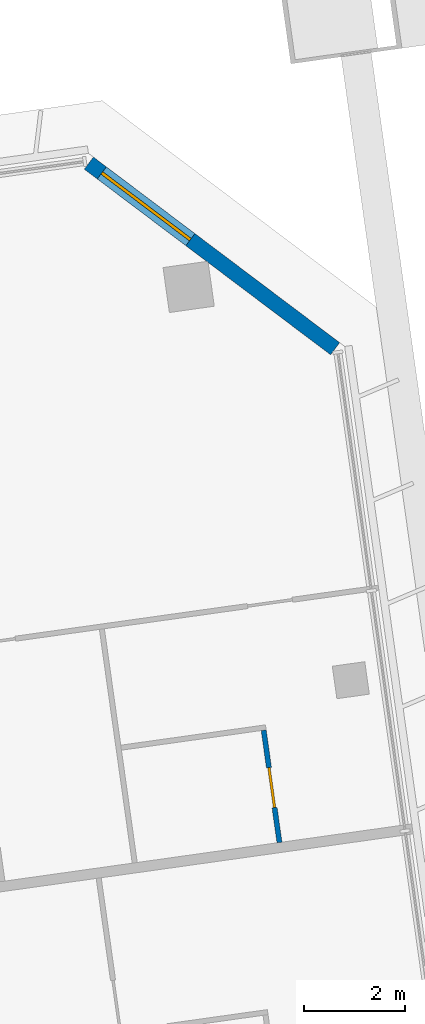
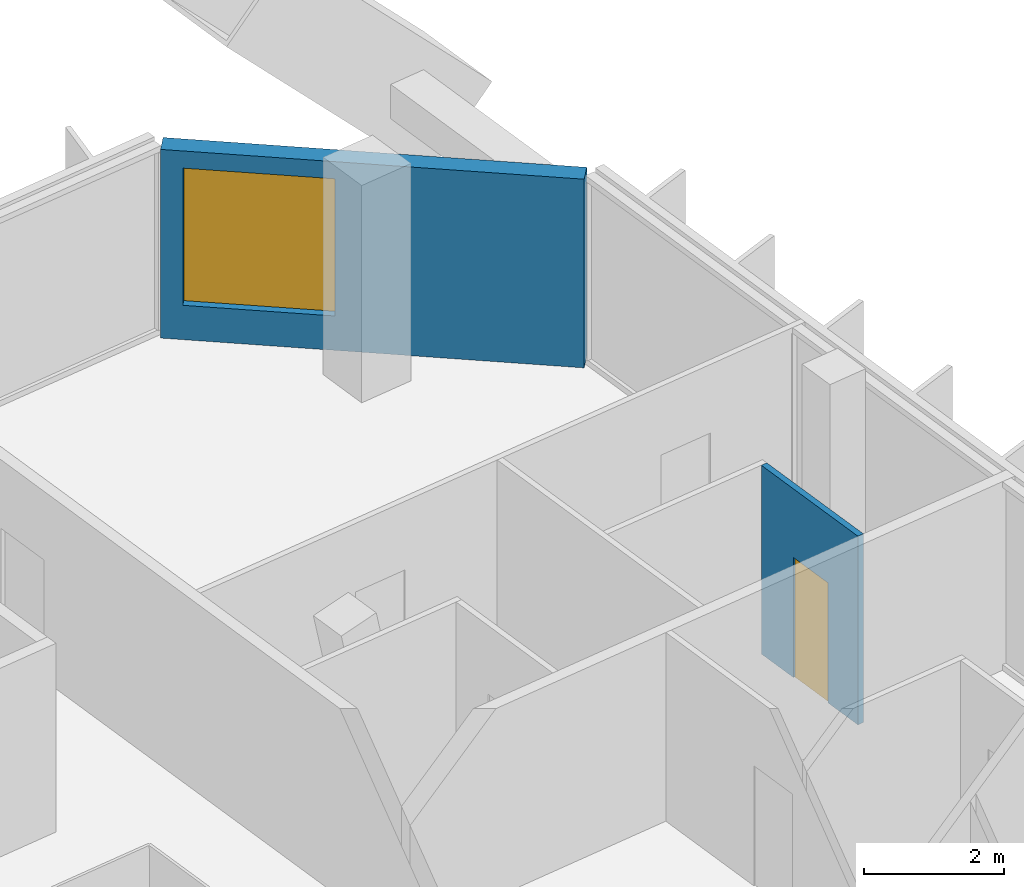
# One storey, part 26 of 34: 2 walls, 1 door, 1 window, 2 openings.
"""IFC4 building model written with IfcOpenShell, lengths in metres."""

from ifc_helpers import new_model, si_unit, direction, frame, frame_2d, origin, place, context, subcontext, project, spatial, rectangle, extrude, material, layer, layer_set, type_object, element, fill, save


model = new_model("IFC4")

# Units and contexts
model_context = context("Model", 3, precision=1e-05, world=origin(), true_north=direction((0.0, 1.0)))
body_context = subcontext(model_context, "Body", "Model", "MODEL_VIEW")
ifc_project = project(units=[si_unit("LENGTHUNIT", "METRE"), si_unit("AREAUNIT", "SQUARE_METRE"), si_unit("VOLUMEUNIT", "CUBIC_METRE"), si_unit("PLANEANGLEUNIT", "RADIAN"), si_unit("MASSUNIT", "GRAM", prefix="KILO")], contexts=[model_context])

# Site, building, storey
site_placement = place(None, origin())
site = spatial("IfcSite", under=ifc_project, at=site_placement, CompositionType="ELEMENT")
building_placement = place(site_placement, origin())
building = spatial("IfcBuilding", under=site, at=building_placement, Name="Mirante Cascada Hotel Towers", CompositionType="ELEMENT")
storey_placement = place(building_placement, frame((0.0, 0.0, 148.1)))
storey = spatial("IfcBuildingStorey", under=building, at=storey_placement, Name="L34", CompositionType="ELEMENT", Elevation=148.1)

# Wall, opening, door
ifc_material_1 = material(Name="Plasterboard on metal studs")
ifc_layer_1 = layer(ifc_material_1, 0.1)
ifc_layer_set_1 = layer_set([ifc_layer_1], Name="Partition 100")
wall_type_1 = type_object("IfcWallType", Name="Partition 100", PredefinedType="PARTITIONING", material=ifc_layer_set_1)
wall_1_placement = place(storey_placement, frame((97.9885, 12.5369, 0.0), z_axis=(0.0, 0.0, 1.0), x_axis=(-0.1391561, 0.9902705, 0.0)))
wall_1 = element("IfcWall", 1, at=wall_1_placement, inside=storey, type_object=wall_type_1, Name="Wall 2-L34-57", PredefinedType="PARTITIONING", context=body_context, shape_type="SweptSolid", body=[
    extrude(rectangle(XDim=2.25, YDim=0.1, at=frame_2d((1.125, 0.0))), origin(), (0.0, 0.0, 1.0), 3.3),
])
opening_1_placement = place(wall_1_placement, frame((0.7, 0.0, 0.0)))
opening_1 = element("IfcOpeningElement", 2, at=opening_1_placement, cuts=wall_1, Name="Opening D2-L34-35", PredefinedType="OPENING", context=body_context, shape_type="SweptSolid", body=[
    extrude(rectangle(XDim=0.8, YDim=2.1, at=frame_2d((0.4, 1.05))), frame((0.0, 0.05, 0.0), z_axis=(0.0, -1.0, 0.0), x_axis=(1.0, 0.0, 0.0)), (0.0, 0.0, 1.0), 0.1),
])
ifc_material_2 = material(Name="Timber door leaf", Category="wood")
door_type = type_object("IfcDoorType", Name="Bathroom door DG4 800x2100", OperationType="SINGLE_SWING_LEFT", PredefinedType="DOOR", material=ifc_material_2)
door_placement = place(opening_1_placement, origin())
door = element("IfcDoor", 3, at=door_placement, inside=storey, type_object=door_type, Name="Door D2-L34-35", OperationType="SINGLE_SWING_LEFT", OverallHeight=2.1, OverallWidth=0.8, PredefinedType="DOOR", context=body_context, shape_type="SweptSolid", body=[
    extrude(rectangle(XDim=0.8, YDim=2.1, at=frame_2d((0.4, 1.05))), frame((0.0, 0.025, 0.0), z_axis=(0.0, -1.0, 0.0), x_axis=(1.0, 0.0, 0.0)), (0.0, 0.0, 1.0), 0.05),
])
fill(opening_1, door)

# Wall, opening, window
ifc_material_3 = material(Name="Precast concrete C40/50", Category="concrete")
ifc_layer_2 = layer(ifc_material_3, 0.3)
ifc_layer_set_2 = layer_set([ifc_layer_2], Name="Precast concrete C40/50 cladding wall 300")
wall_type_2 = type_object("IfcWallType", Name="Precast concrete C40/50 cladding wall 300", PredefinedType="STANDARD", material=ifc_layer_set_2)
wall_2_placement = place(storey_placement, frame((99.0919, 22.3343, 0.0), z_axis=(0.0, 0.0, 1.0), x_axis=(-0.7986362, 0.6018141, 0.0)))
wall_2 = element("IfcWall", 4, at=wall_2_placement, inside=storey, type_object=wall_type_2, Name="Corner cladding wall T2 L34 outer front", PredefinedType="STANDARD", context=body_context, shape_type="SweptSolid", body=[
    extrude(rectangle(XDim=6.1157, YDim=0.3, at=frame_2d((3.0578, 0.0))), origin(), (0.0, 0.0, 1.0), 3.3),
])
opening_2_placement = place(wall_2_placement, frame((3.595, 0.0, 0.6)))
opening_2 = element("IfcOpeningElement", 5, at=opening_2_placement, cuts=wall_2, Name="Opening W2-34-04", PredefinedType="OPENING", context=body_context, shape_type="SweptSolid", body=[
    extrude(rectangle(XDim=2.2, YDim=2.4, at=frame_2d((1.1, 1.2))), frame((0.0, 0.15, 0.0), z_axis=(0.0, -1.0, 0.0), x_axis=(1.0, 0.0, 0.0)), (0.0, 0.0, 1.0), 0.3),
])
ifc_material_4 = material(Name="Aluminium frame with clear double glazing", Category="aluminium")
window_type = type_object("IfcWindowType", Name="Corner suite window 2200x2400", PartitioningType="DOUBLE_PANEL_VERTICAL", PredefinedType="WINDOW", material=ifc_material_4)
window_placement = place(opening_2_placement, origin())
window = element("IfcWindow", 6, at=window_placement, inside=storey, type_object=window_type, Name="Window W2-34-04", OverallHeight=2.4, OverallWidth=2.2, PartitioningType="SINGLE_PANEL", PredefinedType="WINDOW", context=body_context, shape_type="SweptSolid", body=[
    extrude(rectangle(XDim=2.2, YDim=2.4, at=frame_2d((1.1, 1.2))), frame((0.0, 0.03, 0.0), z_axis=(0.0, -1.0, 0.0), x_axis=(1.0, 0.0, 0.0)), (0.0, 0.0, 1.0), 0.06),
])
fill(opening_2, window)

save(model, "model.ifc")
